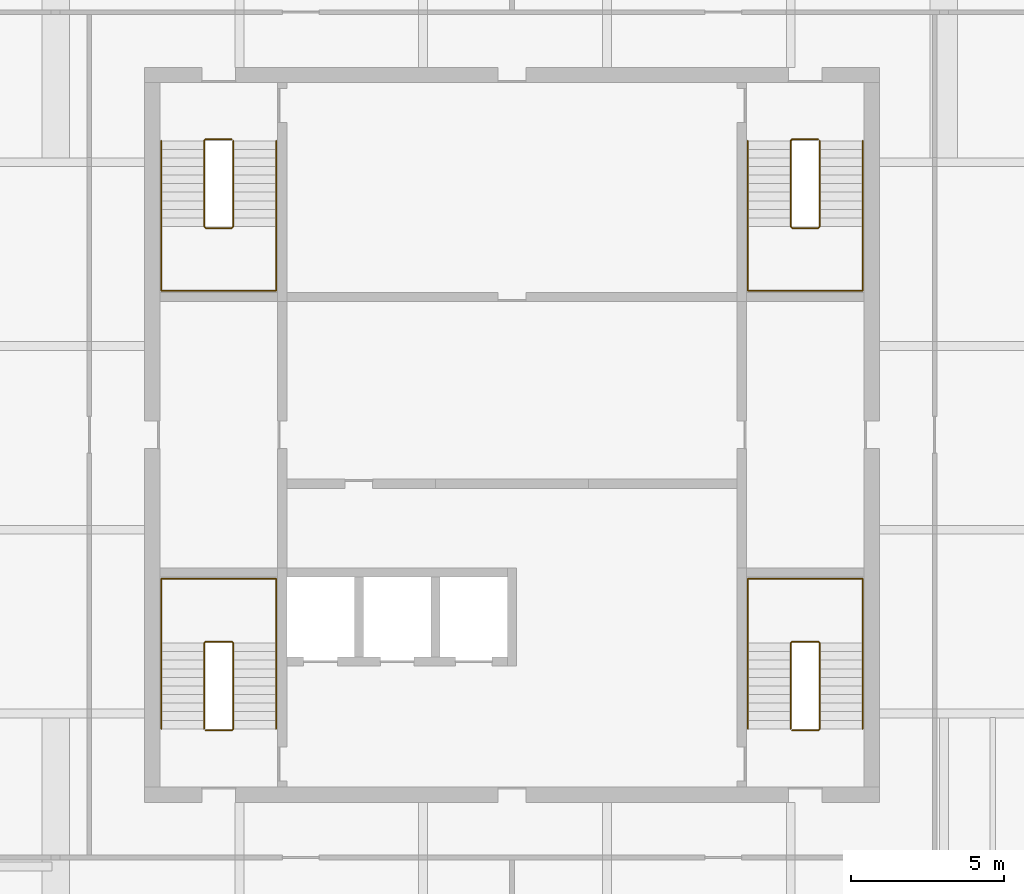
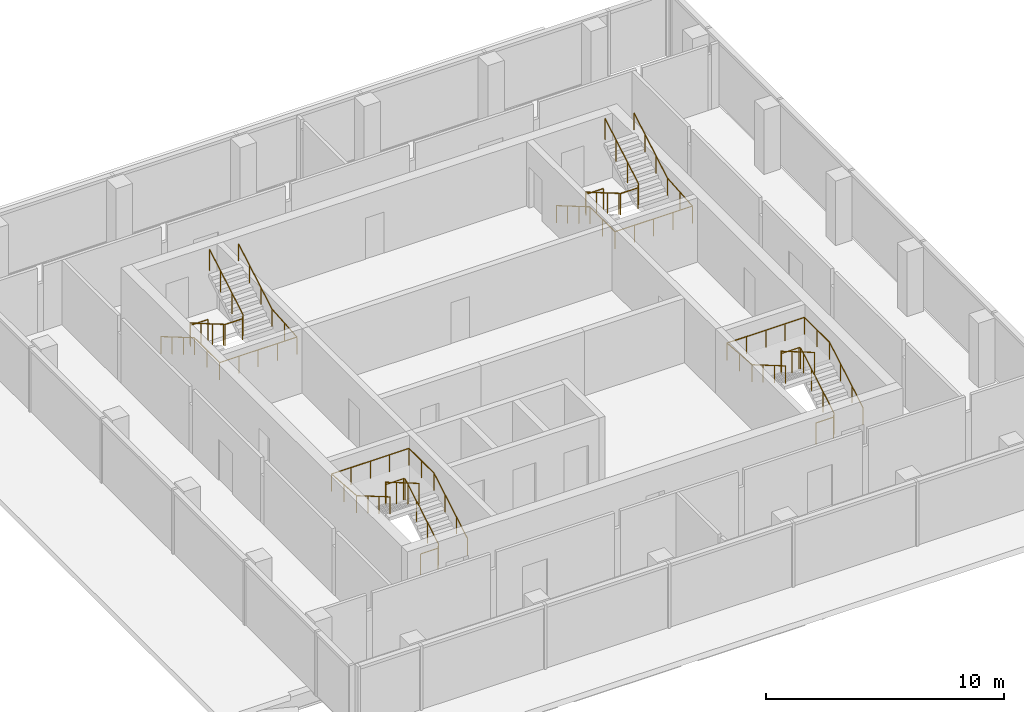
# One storey, part 6 of 6: 8 railings.
"""IFC4 building model written with IfcOpenShell, lengths in metres."""

from ifc_helpers import new_model, si_unit, direction, frame, origin, origin_2d, place, context, subcontext, project, spatial, circle, extrude, material, type_object, element, save


model = new_model("IFC4")

# Units and contexts
model_context = context("Model", 3, precision=1e-05, world=origin(), true_north=direction((0.0, 1.0)))
body_context = subcontext(model_context, "Body", "Model", "MODEL_VIEW")
ifc_project = project(units=[si_unit("LENGTHUNIT", "METRE"), si_unit("AREAUNIT", "SQUARE_METRE"), si_unit("VOLUMEUNIT", "CUBIC_METRE"), si_unit("PLANEANGLEUNIT", "RADIAN"), si_unit("MASSUNIT", "GRAM", prefix="KILO")], contexts=[model_context])

# Site, building, storey
site_placement = place(None, origin())
site = spatial("IfcSite", under=ifc_project, at=site_placement, CompositionType="ELEMENT")
building_placement = place(site_placement, origin())
building = spatial("IfcBuilding", under=site, at=building_placement, Name="Amberfall Residences", CompositionType="ELEMENT")
storey_placement = place(building_placement, frame((0.0, 0.0, 290.800048828125)))
storey = spatial("IfcBuildingStorey", under=building, at=storey_placement, Name="L78 Crown", CompositionType="ELEMENT", Elevation=290.800048828125)

# Railings
ifc_material = material(Name="Stainless steel 316", Category="steel")
railing_type_1 = type_object("IfcRailingType", Name="Stair guard 1100", PredefinedType="GUARDRAIL", material=ifc_material)
railing_1_placement = place(storey_placement, frame((64.5, 35.85009765625, 0.0)))
element("IfcRailing", 1, at=railing_1_placement, inside=storey, type_object=railing_type_1, Name="L78 Crown stair 1 guard", PredefinedType="GUARDRAIL", context=body_context, shape_type="SweptSolid", body=[
    extrude(circle(Radius=0.02392578125, at=origin_2d()), frame((0.0, 0.0, 1.076171875), z_axis=(1.0, 0.0, 0.0), x_axis=(0.0, 1.0, 0.0)), (0.0, 0.0, 1.0), 0.85009765625),
    extrude(circle(Radius=0.02392578125, at=origin_2d()), frame((0.85009765625, 0.0, 1.076171875), z_axis=(0.279653641804, 0.279653641804, 0.918470294159), x_axis=(-0.707106781187, 0.707106781187, 0.0)), (0.0, 0.0, 1.0), 0.177978515625),
    extrude(circle(Radius=0.02392578125, at=origin_2d()), frame((0.89990234375, 0.0498046875, 1.23974609375), z_axis=(0.0, 0.863360870873, 0.504586966384), x_axis=(-1.0, 0.0, 0.0)), (0.0, 0.0, 1.0), 3.2431640625),
    extrude(circle(Radius=0.02392578125, at=origin_2d()), frame((0.89990234375, 2.849853515625, 2.8759765625), z_axis=(-0.705375805398, 0.708833529934, 0.0), x_axis=(-0.708833529934, -0.705375805398, 0.0)), (0.0, 0.0, 1.0), 0.070556640625),
    extrude(circle(Radius=0.02392578125, at=origin_2d()), frame((0.85009765625, 2.89990234375, 2.8759765625), z_axis=(-1.0, 0.0, 0.0), x_axis=(0.0, -1.0, 0.0)), (0.0, 0.0, 1.0), 0.85009765625),
    extrude(circle(Radius=0.02392578125, at=origin_2d()), frame((0.0, 2.89990234375, 2.8759765625), z_axis=(-0.280808744504, -0.280808744504, 0.917765164963), x_axis=(0.707106781187, -0.707106781187, 0.0)), (0.0, 0.0, 1.0), 0.17822265625),
    extrude(circle(Radius=0.02392578125, at=origin_2d()), frame((-0.050048828125, 2.849853515625, 3.03955078125), z_axis=(0.0, -0.863393664356, 0.504530851732), x_axis=(1.0, 0.0, 0.0)), (0.0, 0.0, 1.0), 3.2431640625),
    extrude(circle(Radius=0.02099609375, at=origin_2d()), origin(), (0.0, 0.0, 1.0), 1.052001953125),
    extrude(circle(Radius=0.02099609375, at=origin_2d()), frame((0.85009765625, 0.0, 0.0)), (0.0, 0.0, 1.0), 1.052001953125),
    extrude(circle(Radius=0.02099609375, at=origin_2d()), frame((0.89990234375, 0.0498046875, 0.16357421875)), (0.0, 0.0, 1.0), 1.052001953125),
    extrude(circle(Radius=0.02099609375, at=origin_2d()), frame((0.89990234375, 0.983154296875, 0.708984375)), (0.0, 0.0, 1.0), 1.052001953125),
    extrude(circle(Radius=0.02099609375, at=origin_2d()), frame((0.89990234375, 1.91650390625, 1.254638671875)), (0.0, 0.0, 1.0), 1.052001953125),
    extrude(circle(Radius=0.02099609375, at=origin_2d()), frame((0.89990234375, 2.849853515625, 1.800048828125)), (0.0, 0.0, 1.0), 1.052001953125),
    extrude(circle(Radius=0.02099609375, at=origin_2d()), frame((0.85009765625, 2.89990234375, 1.800048828125)), (0.0, 0.0, 1.0), 1.052001953125),
    extrude(circle(Radius=0.02099609375, at=origin_2d()), frame((0.0, 2.89990234375, 1.800048828125)), (0.0, 0.0, 1.0), 1.052001953125),
    extrude(circle(Radius=0.02099609375, at=origin_2d()), frame((-0.050048828125, 2.849853515625, 1.963623046875)), (0.0, 0.0, 1.0), 1.052001953125),
    extrude(circle(Radius=0.02099609375, at=origin_2d()), frame((-0.050048828125, 1.91650390625, 2.509033203125)), (0.0, 0.0, 1.0), 1.052001953125),
    extrude(circle(Radius=0.02099609375, at=origin_2d()), frame((-0.050048828125, 0.983154296875, 3.054443359375)), (0.0, 0.0, 1.0), 1.052001953125),
    extrude(circle(Radius=0.02099609375, at=origin_2d()), frame((-0.050048828125, 0.0498046875, 3.599853515625)), (0.0, 0.0, 1.0), 1.052001953125),
])
railing_2_placement = place(storey_placement, frame((83.64990234375, 35.85009765625, 0.0)))
element("IfcRailing", 2, at=railing_2_placement, inside=storey, type_object=railing_type_1, Name="L78 Crown stair 2 guard", PredefinedType="GUARDRAIL", context=body_context, shape_type="SweptSolid", body=[
    extrude(circle(Radius=0.02392578125, at=origin_2d()), frame((0.0, 0.0, 1.076171875), z_axis=(1.0, 0.0, 0.0), x_axis=(0.0, 1.0, 0.0)), (0.0, 0.0, 1.0), 0.85009765625),
    extrude(circle(Radius=0.02392578125, at=origin_2d()), frame((0.85009765625, 0.0, 1.076171875), z_axis=(0.280916556609, 0.279546231943, 0.91811752648), x_axis=(-0.705375805398, 0.708833529934, 0.0)), (0.0, 0.0, 1.0), 0.17822265625),
    extrude(circle(Radius=0.02392578125, at=origin_2d()), frame((0.900146484375, 0.0498046875, 1.23974609375), z_axis=(0.0, 0.863360870873, 0.504586966384), x_axis=(-1.0, 0.0, 0.0)), (0.0, 0.0, 1.0), 3.2431640625),
    extrude(circle(Radius=0.02392578125, at=origin_2d()), frame((0.900146484375, 2.849853515625, 2.8759765625), z_axis=(-0.707106781187, 0.707106781187, 0.0), x_axis=(-0.707106781187, -0.707106781187, 0.0)), (0.0, 0.0, 1.0), 0.07080078125),
    extrude(circle(Radius=0.02392578125, at=origin_2d()), frame((0.85009765625, 2.89990234375, 2.8759765625), z_axis=(-1.0, 0.0, 0.0), x_axis=(0.0, -1.0, 0.0)), (0.0, 0.0, 1.0), 0.85009765625),
    extrude(circle(Radius=0.02392578125, at=origin_2d()), frame((0.0, 2.89990234375, 2.8759765625), z_axis=(-0.279546231943, -0.280916556609, 0.91811752648), x_axis=(0.708833529934, -0.705375805398, 0.0)), (0.0, 0.0, 1.0), 0.17822265625),
    extrude(circle(Radius=0.02392578125, at=origin_2d()), frame((-0.0498046875, 2.849853515625, 3.03955078125), z_axis=(0.0, -0.863393664356, 0.504530851732), x_axis=(1.0, 0.0, 0.0)), (0.0, 0.0, 1.0), 3.2431640625),
    extrude(circle(Radius=0.02099609375, at=origin_2d()), origin(), (0.0, 0.0, 1.0), 1.052001953125),
    extrude(circle(Radius=0.02099609375, at=origin_2d()), frame((0.85009765625, 0.0, 0.0)), (0.0, 0.0, 1.0), 1.052001953125),
    extrude(circle(Radius=0.02099609375, at=origin_2d()), frame((0.900146484375, 0.0498046875, 0.16357421875)), (0.0, 0.0, 1.0), 1.052001953125),
    extrude(circle(Radius=0.02099609375, at=origin_2d()), frame((0.900146484375, 0.983154296875, 0.708984375)), (0.0, 0.0, 1.0), 1.052001953125),
    extrude(circle(Radius=0.02099609375, at=origin_2d()), frame((0.900146484375, 1.91650390625, 1.254638671875)), (0.0, 0.0, 1.0), 1.052001953125),
    extrude(circle(Radius=0.02099609375, at=origin_2d()), frame((0.900146484375, 2.849853515625, 1.800048828125)), (0.0, 0.0, 1.0), 1.052001953125),
    extrude(circle(Radius=0.02099609375, at=origin_2d()), frame((0.85009765625, 2.89990234375, 1.800048828125)), (0.0, 0.0, 1.0), 1.052001953125),
    extrude(circle(Radius=0.02099609375, at=origin_2d()), frame((0.0, 2.89990234375, 1.800048828125)), (0.0, 0.0, 1.0), 1.052001953125),
    extrude(circle(Radius=0.02099609375, at=origin_2d()), frame((-0.0498046875, 2.849853515625, 1.963623046875)), (0.0, 0.0, 1.0), 1.052001953125),
    extrude(circle(Radius=0.02099609375, at=origin_2d()), frame((-0.0498046875, 1.91650390625, 2.509033203125)), (0.0, 0.0, 1.0), 1.052001953125),
    extrude(circle(Radius=0.02099609375, at=origin_2d()), frame((-0.0498046875, 0.983154296875, 3.054443359375)), (0.0, 0.0, 1.0), 1.052001953125),
    extrude(circle(Radius=0.02099609375, at=origin_2d()), frame((-0.0498046875, 0.0498046875, 3.599853515625)), (0.0, 0.0, 1.0), 1.052001953125),
])
railing_3_placement = place(storey_placement, frame((84.5, 55.14990234375, 0.0)))
element("IfcRailing", 3, at=railing_3_placement, inside=storey, type_object=railing_type_1, Name="L78 Crown stair 3 guard", PredefinedType="GUARDRAIL", context=body_context, shape_type="SweptSolid", body=[
    extrude(circle(Radius=0.02392578125, at=origin_2d()), frame((0.0, 0.0, 1.076171875), z_axis=(-1.0, 0.0, 0.0), x_axis=(0.0, -1.0, 0.0)), (0.0, 0.0, 1.0), 0.85009765625),
    extrude(circle(Radius=0.02392578125, at=origin_2d()), frame((-0.85009765625, 0.0, 1.076171875), z_axis=(-0.279653641804, -0.279653641804, 0.918470294159), x_axis=(0.707106781187, -0.707106781187, 0.0)), (0.0, 0.0, 1.0), 0.177978515625),
    extrude(circle(Radius=0.02392578125, at=origin_2d()), frame((-0.89990234375, -0.0498046875, 1.23974609375), z_axis=(0.0, -0.863360870873, 0.504586966384), x_axis=(1.0, 0.0, 0.0)), (0.0, 0.0, 1.0), 3.2431640625),
    extrude(circle(Radius=0.02392578125, at=origin_2d()), frame((-0.89990234375, -2.849853515625, 2.8759765625), z_axis=(0.705375805398, -0.708833529934, 0.0), x_axis=(0.708833529934, 0.705375805398, 0.0)), (0.0, 0.0, 1.0), 0.070556640625),
    extrude(circle(Radius=0.02392578125, at=origin_2d()), frame((-0.85009765625, -2.89990234375, 2.8759765625), z_axis=(1.0, 0.0, 0.0), x_axis=(0.0, 1.0, 0.0)), (0.0, 0.0, 1.0), 0.85009765625),
    extrude(circle(Radius=0.02392578125, at=origin_2d()), frame((0.0, -2.89990234375, 2.8759765625), z_axis=(0.280808744504, 0.280808744504, 0.917765164963), x_axis=(-0.707106781187, 0.707106781187, 0.0)), (0.0, 0.0, 1.0), 0.17822265625),
    extrude(circle(Radius=0.02392578125, at=origin_2d()), frame((0.050048828125, -2.849853515625, 3.03955078125), z_axis=(0.0, 0.863393664356, 0.504530851732), x_axis=(-1.0, 0.0, 0.0)), (0.0, 0.0, 1.0), 3.2431640625),
    extrude(circle(Radius=0.02099609375, at=origin_2d()), origin(), (0.0, 0.0, 1.0), 1.052001953125),
    extrude(circle(Radius=0.02099609375, at=origin_2d()), frame((-0.85009765625, 0.0, 0.0)), (0.0, 0.0, 1.0), 1.052001953125),
    extrude(circle(Radius=0.02099609375, at=origin_2d()), frame((-0.89990234375, -0.0498046875, 0.16357421875)), (0.0, 0.0, 1.0), 1.052001953125),
    extrude(circle(Radius=0.02099609375, at=origin_2d()), frame((-0.89990234375, -0.983154296875, 0.708984375)), (0.0, 0.0, 1.0), 1.052001953125),
    extrude(circle(Radius=0.02099609375, at=origin_2d()), frame((-0.89990234375, -1.91650390625, 1.254638671875)), (0.0, 0.0, 1.0), 1.052001953125),
    extrude(circle(Radius=0.02099609375, at=origin_2d()), frame((-0.89990234375, -2.849853515625, 1.800048828125)), (0.0, 0.0, 1.0), 1.052001953125),
    extrude(circle(Radius=0.02099609375, at=origin_2d()), frame((-0.85009765625, -2.89990234375, 1.800048828125)), (0.0, 0.0, 1.0), 1.052001953125),
    extrude(circle(Radius=0.02099609375, at=origin_2d()), frame((0.0, -2.89990234375, 1.800048828125)), (0.0, 0.0, 1.0), 1.052001953125),
    extrude(circle(Radius=0.02099609375, at=origin_2d()), frame((0.050048828125, -2.849853515625, 1.963623046875)), (0.0, 0.0, 1.0), 1.052001953125),
    extrude(circle(Radius=0.02099609375, at=origin_2d()), frame((0.050048828125, -1.91650390625, 2.509033203125)), (0.0, 0.0, 1.0), 1.052001953125),
    extrude(circle(Radius=0.02099609375, at=origin_2d()), frame((0.050048828125, -0.983154296875, 3.054443359375)), (0.0, 0.0, 1.0), 1.052001953125),
    extrude(circle(Radius=0.02099609375, at=origin_2d()), frame((0.050048828125, -0.0498046875, 3.599853515625)), (0.0, 0.0, 1.0), 1.052001953125),
])
railing_4_placement = place(storey_placement, frame((65.35009765625, 55.14990234375, 0.0)))
element("IfcRailing", 4, at=railing_4_placement, inside=storey, type_object=railing_type_1, Name="L78 Crown stair 4 guard", PredefinedType="GUARDRAIL", context=body_context, shape_type="SweptSolid", body=[
    extrude(circle(Radius=0.02392578125, at=origin_2d()), frame((0.0, 0.0, 1.076171875), z_axis=(-1.0, 0.0, 0.0), x_axis=(0.0, -1.0, 0.0)), (0.0, 0.0, 1.0), 0.85009765625),
    extrude(circle(Radius=0.02392578125, at=origin_2d()), frame((-0.85009765625, 0.0, 1.076171875), z_axis=(-0.280916556609, -0.279546231943, 0.91811752648), x_axis=(0.705375805398, -0.708833529934, 0.0)), (0.0, 0.0, 1.0), 0.17822265625),
    extrude(circle(Radius=0.02392578125, at=origin_2d()), frame((-0.900146484375, -0.0498046875, 1.23974609375), z_axis=(0.0, -0.863360870873, 0.504586966384), x_axis=(1.0, 0.0, 0.0)), (0.0, 0.0, 1.0), 3.2431640625),
    extrude(circle(Radius=0.02392578125, at=origin_2d()), frame((-0.900146484375, -2.849853515625, 2.8759765625), z_axis=(0.707106781187, -0.707106781187, 0.0), x_axis=(0.707106781187, 0.707106781187, 0.0)), (0.0, 0.0, 1.0), 0.07080078125),
    extrude(circle(Radius=0.02392578125, at=origin_2d()), frame((-0.85009765625, -2.89990234375, 2.8759765625), z_axis=(1.0, 0.0, 0.0), x_axis=(0.0, 1.0, 0.0)), (0.0, 0.0, 1.0), 0.85009765625),
    extrude(circle(Radius=0.02392578125, at=origin_2d()), frame((0.0, -2.89990234375, 2.8759765625), z_axis=(0.279546231943, 0.280916556609, 0.91811752648), x_axis=(-0.708833529934, 0.705375805398, 0.0)), (0.0, 0.0, 1.0), 0.17822265625),
    extrude(circle(Radius=0.02392578125, at=origin_2d()), frame((0.0498046875, -2.849853515625, 3.03955078125), z_axis=(0.0, 0.863393664356, 0.504530851732), x_axis=(-1.0, 0.0, 0.0)), (0.0, 0.0, 1.0), 3.2431640625),
    extrude(circle(Radius=0.02099609375, at=origin_2d()), origin(), (0.0, 0.0, 1.0), 1.052001953125),
    extrude(circle(Radius=0.02099609375, at=origin_2d()), frame((-0.85009765625, 0.0, 0.0)), (0.0, 0.0, 1.0), 1.052001953125),
    extrude(circle(Radius=0.02099609375, at=origin_2d()), frame((-0.900146484375, -0.0498046875, 0.16357421875)), (0.0, 0.0, 1.0), 1.052001953125),
    extrude(circle(Radius=0.02099609375, at=origin_2d()), frame((-0.900146484375, -0.983154296875, 0.708984375)), (0.0, 0.0, 1.0), 1.052001953125),
    extrude(circle(Radius=0.02099609375, at=origin_2d()), frame((-0.900146484375, -1.91650390625, 1.254638671875)), (0.0, 0.0, 1.0), 1.052001953125),
    extrude(circle(Radius=0.02099609375, at=origin_2d()), frame((-0.900146484375, -2.849853515625, 1.800048828125)), (0.0, 0.0, 1.0), 1.052001953125),
    extrude(circle(Radius=0.02099609375, at=origin_2d()), frame((-0.85009765625, -2.89990234375, 1.800048828125)), (0.0, 0.0, 1.0), 1.052001953125),
    extrude(circle(Radius=0.02099609375, at=origin_2d()), frame((0.0, -2.89990234375, 1.800048828125)), (0.0, 0.0, 1.0), 1.052001953125),
    extrude(circle(Radius=0.02099609375, at=origin_2d()), frame((0.0498046875, -2.849853515625, 1.963623046875)), (0.0, 0.0, 1.0), 1.052001953125),
    extrude(circle(Radius=0.02099609375, at=origin_2d()), frame((0.0498046875, -1.91650390625, 2.509033203125)), (0.0, 0.0, 1.0), 1.052001953125),
    extrude(circle(Radius=0.02099609375, at=origin_2d()), frame((0.0498046875, -0.983154296875, 3.054443359375)), (0.0, 0.0, 1.0), 1.052001953125),
    extrude(circle(Radius=0.02099609375, at=origin_2d()), frame((0.0498046875, -0.0498046875, 3.599853515625)), (0.0, 0.0, 1.0), 1.052001953125),
])
railing_type_2 = type_object("IfcRailingType", Name="Stair handrail 900", PredefinedType="HANDRAIL", material=ifc_material)
railing_5_placement = place(storey_placement, frame((66.800048828125, 35.89990234375, 0.16357421875)))
element("IfcRailing", 5, at=railing_5_placement, inside=storey, type_object=railing_type_2, Name="L78 Crown stair 1 handrail", PredefinedType="HANDRAIL", context=body_context, shape_type="SweptSolid", body=[
    extrude(circle(Radius=0.02392578125, at=origin_2d()), frame((0.0, 0.0, 0.8759765625), z_axis=(0.0, 0.863360870873, 0.504586966384), x_axis=(-1.0, 0.0, 0.0)), (0.0, 0.0, 1.0), 3.2431640625),
    extrude(circle(Radius=0.02392578125, at=origin_2d()), frame((0.0, 2.800048828125, 2.51220703125), z_axis=(0.0, 1.0, 0.0), x_axis=(-1.0, 0.0, 0.0)), (0.0, 0.0, 1.0), 2.10009765625),
    extrude(circle(Radius=0.02392578125, at=origin_2d()), frame((0.0, 4.900146484375, 2.51220703125), z_axis=(-1.0, 0.0, 0.0), x_axis=(0.0, -1.0, 0.0)), (0.0, 0.0, 1.0), 3.75),
    extrude(circle(Radius=0.02392578125, at=origin_2d()), frame((-3.75, 4.900146484375, 2.51220703125), z_axis=(0.0, -0.996980394804, 0.077653669439), x_axis=(1.0, 0.0, 0.0)), (0.0, 0.0, 1.0), 2.1064453125),
    extrude(circle(Radius=0.02392578125, at=origin_2d()), frame((-3.75, 2.800048828125, 2.67578125), z_axis=(0.0, -0.863393664356, 0.504530851732), x_axis=(1.0, 0.0, 0.0)), (0.0, 0.0, 1.0), 3.2431640625),
    extrude(circle(Radius=0.02099609375, at=origin_2d()), origin(), (0.0, 0.0, 1.0), 0.851806640625),
    extrude(circle(Radius=0.02099609375, at=origin_2d()), frame((0.0, 0.933349609375, 0.54541015625)), (0.0, 0.0, 1.0), 0.851806640625),
    extrude(circle(Radius=0.02099609375, at=origin_2d()), frame((0.0, 1.86669921875, 1.091064453125)), (0.0, 0.0, 1.0), 0.851806640625),
    extrude(circle(Radius=0.02099609375, at=origin_2d()), frame((0.0, 2.800048828125, 1.636474609375)), (0.0, 0.0, 1.0), 0.851806640625),
    extrude(circle(Radius=0.02099609375, at=origin_2d()), frame((0.0, 3.85009765625, 1.636474609375)), (0.0, 0.0, 1.0), 0.851806640625),
    extrude(circle(Radius=0.02099609375, at=origin_2d()), frame((0.0, 4.900146484375, 1.636474609375)), (0.0, 0.0, 1.0), 0.851806640625),
    extrude(circle(Radius=0.02099609375, at=origin_2d()), frame((-0.9375, 4.900146484375, 1.636474609375)), (0.0, 0.0, 1.0), 0.851806640625),
    extrude(circle(Radius=0.02099609375, at=origin_2d()), frame((-1.875, 4.900146484375, 1.636474609375)), (0.0, 0.0, 1.0), 0.851806640625),
    extrude(circle(Radius=0.02099609375, at=origin_2d()), frame((-2.8125, 4.900146484375, 1.636474609375)), (0.0, 0.0, 1.0), 0.851806640625),
    extrude(circle(Radius=0.02099609375, at=origin_2d()), frame((-3.75, 4.900146484375, 1.636474609375)), (0.0, 0.0, 1.0), 0.851806640625),
    extrude(circle(Radius=0.02099609375, at=origin_2d()), frame((-3.75, 3.85009765625, 1.71826171875)), (0.0, 0.0, 1.0), 0.851806640625),
    extrude(circle(Radius=0.02099609375, at=origin_2d()), frame((-3.75, 2.800048828125, 1.800048828125)), (0.0, 0.0, 1.0), 0.851806640625),
    extrude(circle(Radius=0.02099609375, at=origin_2d()), frame((-3.75, 1.86669921875, 2.345458984375)), (0.0, 0.0, 1.0), 0.851806640625),
    extrude(circle(Radius=0.02099609375, at=origin_2d()), frame((-3.75, 0.933349609375, 2.890869140625)), (0.0, 0.0, 1.0), 0.851806640625),
    extrude(circle(Radius=0.02099609375, at=origin_2d()), frame((-3.75, 0.0, 3.436279296875)), (0.0, 0.0, 1.0), 0.851806640625),
])
railing_6_placement = place(storey_placement, frame((85.949951171875, 35.89990234375, 0.16357421875)))
element("IfcRailing", 6, at=railing_6_placement, inside=storey, type_object=railing_type_2, Name="L78 Crown stair 2 handrail", PredefinedType="HANDRAIL", context=body_context, shape_type="SweptSolid", body=[
    extrude(circle(Radius=0.02392578125, at=origin_2d()), frame((0.0, 0.0, 0.8759765625), z_axis=(0.0, 0.863360870873, 0.504586966384), x_axis=(-1.0, 0.0, 0.0)), (0.0, 0.0, 1.0), 3.2431640625),
    extrude(circle(Radius=0.02392578125, at=origin_2d()), frame((0.0, 2.800048828125, 2.51220703125), z_axis=(0.0, 1.0, 0.0), x_axis=(-1.0, 0.0, 0.0)), (0.0, 0.0, 1.0), 2.10009765625),
    extrude(circle(Radius=0.02392578125, at=origin_2d()), frame((0.0, 4.900146484375, 2.51220703125), z_axis=(-1.0, 0.0, 0.0), x_axis=(0.0, -1.0, 0.0)), (0.0, 0.0, 1.0), 3.75),
    extrude(circle(Radius=0.02392578125, at=origin_2d()), frame((-3.75, 4.900146484375, 2.51220703125), z_axis=(0.0, -0.996980394804, 0.077653669439), x_axis=(1.0, 0.0, 0.0)), (0.0, 0.0, 1.0), 2.1064453125),
    extrude(circle(Radius=0.02392578125, at=origin_2d()), frame((-3.75, 2.800048828125, 2.67578125), z_axis=(0.0, -0.863393664356, 0.504530851732), x_axis=(1.0, 0.0, 0.0)), (0.0, 0.0, 1.0), 3.2431640625),
    extrude(circle(Radius=0.02099609375, at=origin_2d()), origin(), (0.0, 0.0, 1.0), 0.851806640625),
    extrude(circle(Radius=0.02099609375, at=origin_2d()), frame((0.0, 0.933349609375, 0.54541015625)), (0.0, 0.0, 1.0), 0.851806640625),
    extrude(circle(Radius=0.02099609375, at=origin_2d()), frame((0.0, 1.86669921875, 1.091064453125)), (0.0, 0.0, 1.0), 0.851806640625),
    extrude(circle(Radius=0.02099609375, at=origin_2d()), frame((0.0, 2.800048828125, 1.636474609375)), (0.0, 0.0, 1.0), 0.851806640625),
    extrude(circle(Radius=0.02099609375, at=origin_2d()), frame((0.0, 3.85009765625, 1.636474609375)), (0.0, 0.0, 1.0), 0.851806640625),
    extrude(circle(Radius=0.02099609375, at=origin_2d()), frame((0.0, 4.900146484375, 1.636474609375)), (0.0, 0.0, 1.0), 0.851806640625),
    extrude(circle(Radius=0.02099609375, at=origin_2d()), frame((-0.9375, 4.900146484375, 1.636474609375)), (0.0, 0.0, 1.0), 0.851806640625),
    extrude(circle(Radius=0.02099609375, at=origin_2d()), frame((-1.875, 4.900146484375, 1.636474609375)), (0.0, 0.0, 1.0), 0.851806640625),
    extrude(circle(Radius=0.02099609375, at=origin_2d()), frame((-2.8125, 4.900146484375, 1.636474609375)), (0.0, 0.0, 1.0), 0.851806640625),
    extrude(circle(Radius=0.02099609375, at=origin_2d()), frame((-3.75, 4.900146484375, 1.636474609375)), (0.0, 0.0, 1.0), 0.851806640625),
    extrude(circle(Radius=0.02099609375, at=origin_2d()), frame((-3.75, 3.85009765625, 1.71826171875)), (0.0, 0.0, 1.0), 0.851806640625),
    extrude(circle(Radius=0.02099609375, at=origin_2d()), frame((-3.75, 2.800048828125, 1.800048828125)), (0.0, 0.0, 1.0), 0.851806640625),
    extrude(circle(Radius=0.02099609375, at=origin_2d()), frame((-3.75, 1.86669921875, 2.345458984375)), (0.0, 0.0, 1.0), 0.851806640625),
    extrude(circle(Radius=0.02099609375, at=origin_2d()), frame((-3.75, 0.933349609375, 2.890869140625)), (0.0, 0.0, 1.0), 0.851806640625),
    extrude(circle(Radius=0.02099609375, at=origin_2d()), frame((-3.75, 0.0, 3.436279296875)), (0.0, 0.0, 1.0), 0.851806640625),
])
railing_7_placement = place(storey_placement, frame((82.199951171875, 55.10009765625, 0.16357421875)))
element("IfcRailing", 7, at=railing_7_placement, inside=storey, type_object=railing_type_2, Name="L78 Crown stair 3 handrail", PredefinedType="HANDRAIL", context=body_context, shape_type="SweptSolid", body=[
    extrude(circle(Radius=0.02392578125, at=origin_2d()), frame((0.0, 0.0, 0.8759765625), z_axis=(0.0, -0.863360870873, 0.504586966384), x_axis=(1.0, 0.0, 0.0)), (0.0, 0.0, 1.0), 3.2431640625),
    extrude(circle(Radius=0.02392578125, at=origin_2d()), frame((0.0, -2.800048828125, 2.51220703125), z_axis=(0.0, -1.0, 0.0), x_axis=(1.0, 0.0, 0.0)), (0.0, 0.0, 1.0), 2.10009765625),
    extrude(circle(Radius=0.02392578125, at=origin_2d()), frame((0.0, -4.900146484375, 2.51220703125), z_axis=(1.0, 0.0, 0.0), x_axis=(0.0, 1.0, 0.0)), (0.0, 0.0, 1.0), 3.75),
    extrude(circle(Radius=0.02392578125, at=origin_2d()), frame((3.75, -4.900146484375, 2.51220703125), z_axis=(0.0, 0.996980394804, 0.077653669439), x_axis=(-1.0, 0.0, 0.0)), (0.0, 0.0, 1.0), 2.1064453125),
    extrude(circle(Radius=0.02392578125, at=origin_2d()), frame((3.75, -2.800048828125, 2.67578125), z_axis=(0.0, 0.863393664356, 0.504530851732), x_axis=(-1.0, 0.0, 0.0)), (0.0, 0.0, 1.0), 3.2431640625),
    extrude(circle(Radius=0.02099609375, at=origin_2d()), origin(), (0.0, 0.0, 1.0), 0.851806640625),
    extrude(circle(Radius=0.02099609375, at=origin_2d()), frame((0.0, -0.933349609375, 0.54541015625)), (0.0, 0.0, 1.0), 0.851806640625),
    extrude(circle(Radius=0.02099609375, at=origin_2d()), frame((0.0, -1.86669921875, 1.091064453125)), (0.0, 0.0, 1.0), 0.851806640625),
    extrude(circle(Radius=0.02099609375, at=origin_2d()), frame((0.0, -2.800048828125, 1.636474609375)), (0.0, 0.0, 1.0), 0.851806640625),
    extrude(circle(Radius=0.02099609375, at=origin_2d()), frame((0.0, -3.85009765625, 1.636474609375)), (0.0, 0.0, 1.0), 0.851806640625),
    extrude(circle(Radius=0.02099609375, at=origin_2d()), frame((0.0, -4.900146484375, 1.636474609375)), (0.0, 0.0, 1.0), 0.851806640625),
    extrude(circle(Radius=0.02099609375, at=origin_2d()), frame((0.9375, -4.900146484375, 1.636474609375)), (0.0, 0.0, 1.0), 0.851806640625),
    extrude(circle(Radius=0.02099609375, at=origin_2d()), frame((1.875, -4.900146484375, 1.636474609375)), (0.0, 0.0, 1.0), 0.851806640625),
    extrude(circle(Radius=0.02099609375, at=origin_2d()), frame((2.8125, -4.900146484375, 1.636474609375)), (0.0, 0.0, 1.0), 0.851806640625),
    extrude(circle(Radius=0.02099609375, at=origin_2d()), frame((3.75, -4.900146484375, 1.636474609375)), (0.0, 0.0, 1.0), 0.851806640625),
    extrude(circle(Radius=0.02099609375, at=origin_2d()), frame((3.75, -3.85009765625, 1.71826171875)), (0.0, 0.0, 1.0), 0.851806640625),
    extrude(circle(Radius=0.02099609375, at=origin_2d()), frame((3.75, -2.800048828125, 1.800048828125)), (0.0, 0.0, 1.0), 0.851806640625),
    extrude(circle(Radius=0.02099609375, at=origin_2d()), frame((3.75, -1.86669921875, 2.345458984375)), (0.0, 0.0, 1.0), 0.851806640625),
    extrude(circle(Radius=0.02099609375, at=origin_2d()), frame((3.75, -0.933349609375, 2.890869140625)), (0.0, 0.0, 1.0), 0.851806640625),
    extrude(circle(Radius=0.02099609375, at=origin_2d()), frame((3.75, 0.0, 3.436279296875)), (0.0, 0.0, 1.0), 0.851806640625),
])
railing_8_placement = place(storey_placement, frame((63.050048828125, 55.10009765625, 0.16357421875)))
element("IfcRailing", 8, at=railing_8_placement, inside=storey, type_object=railing_type_2, Name="L78 Crown stair 4 handrail", PredefinedType="HANDRAIL", context=body_context, shape_type="SweptSolid", body=[
    extrude(circle(Radius=0.02392578125, at=origin_2d()), frame((0.0, 0.0, 0.8759765625), z_axis=(0.0, -0.863360870873, 0.504586966384), x_axis=(1.0, 0.0, 0.0)), (0.0, 0.0, 1.0), 3.2431640625),
    extrude(circle(Radius=0.02392578125, at=origin_2d()), frame((0.0, -2.800048828125, 2.51220703125), z_axis=(0.0, -1.0, 0.0), x_axis=(1.0, 0.0, 0.0)), (0.0, 0.0, 1.0), 2.10009765625),
    extrude(circle(Radius=0.02392578125, at=origin_2d()), frame((0.0, -4.900146484375, 2.51220703125), z_axis=(1.0, 0.0, 0.0), x_axis=(0.0, 1.0, 0.0)), (0.0, 0.0, 1.0), 3.75),
    extrude(circle(Radius=0.02392578125, at=origin_2d()), frame((3.75, -4.900146484375, 2.51220703125), z_axis=(0.0, 0.996980394804, 0.077653669439), x_axis=(-1.0, 0.0, 0.0)), (0.0, 0.0, 1.0), 2.1064453125),
    extrude(circle(Radius=0.02392578125, at=origin_2d()), frame((3.75, -2.800048828125, 2.67578125), z_axis=(0.0, 0.863393664356, 0.504530851732), x_axis=(-1.0, 0.0, 0.0)), (0.0, 0.0, 1.0), 3.2431640625),
    extrude(circle(Radius=0.02099609375, at=origin_2d()), origin(), (0.0, 0.0, 1.0), 0.851806640625),
    extrude(circle(Radius=0.02099609375, at=origin_2d()), frame((0.0, -0.933349609375, 0.54541015625)), (0.0, 0.0, 1.0), 0.851806640625),
    extrude(circle(Radius=0.02099609375, at=origin_2d()), frame((0.0, -1.86669921875, 1.091064453125)), (0.0, 0.0, 1.0), 0.851806640625),
    extrude(circle(Radius=0.02099609375, at=origin_2d()), frame((0.0, -2.800048828125, 1.636474609375)), (0.0, 0.0, 1.0), 0.851806640625),
    extrude(circle(Radius=0.02099609375, at=origin_2d()), frame((0.0, -3.85009765625, 1.636474609375)), (0.0, 0.0, 1.0), 0.851806640625),
    extrude(circle(Radius=0.02099609375, at=origin_2d()), frame((0.0, -4.900146484375, 1.636474609375)), (0.0, 0.0, 1.0), 0.851806640625),
    extrude(circle(Radius=0.02099609375, at=origin_2d()), frame((0.9375, -4.900146484375, 1.636474609375)), (0.0, 0.0, 1.0), 0.851806640625),
    extrude(circle(Radius=0.02099609375, at=origin_2d()), frame((1.875, -4.900146484375, 1.636474609375)), (0.0, 0.0, 1.0), 0.851806640625),
    extrude(circle(Radius=0.02099609375, at=origin_2d()), frame((2.8125, -4.900146484375, 1.636474609375)), (0.0, 0.0, 1.0), 0.851806640625),
    extrude(circle(Radius=0.02099609375, at=origin_2d()), frame((3.75, -4.900146484375, 1.636474609375)), (0.0, 0.0, 1.0), 0.851806640625),
    extrude(circle(Radius=0.02099609375, at=origin_2d()), frame((3.75, -3.85009765625, 1.71826171875)), (0.0, 0.0, 1.0), 0.851806640625),
    extrude(circle(Radius=0.02099609375, at=origin_2d()), frame((3.75, -2.800048828125, 1.800048828125)), (0.0, 0.0, 1.0), 0.851806640625),
    extrude(circle(Radius=0.02099609375, at=origin_2d()), frame((3.75, -1.86669921875, 2.345458984375)), (0.0, 0.0, 1.0), 0.851806640625),
    extrude(circle(Radius=0.02099609375, at=origin_2d()), frame((3.75, -0.933349609375, 2.890869140625)), (0.0, 0.0, 1.0), 0.851806640625),
    extrude(circle(Radius=0.02099609375, at=origin_2d()), frame((3.75, 0.0, 3.436279296875)), (0.0, 0.0, 1.0), 0.851806640625),
])

save(model, "model.ifc")
